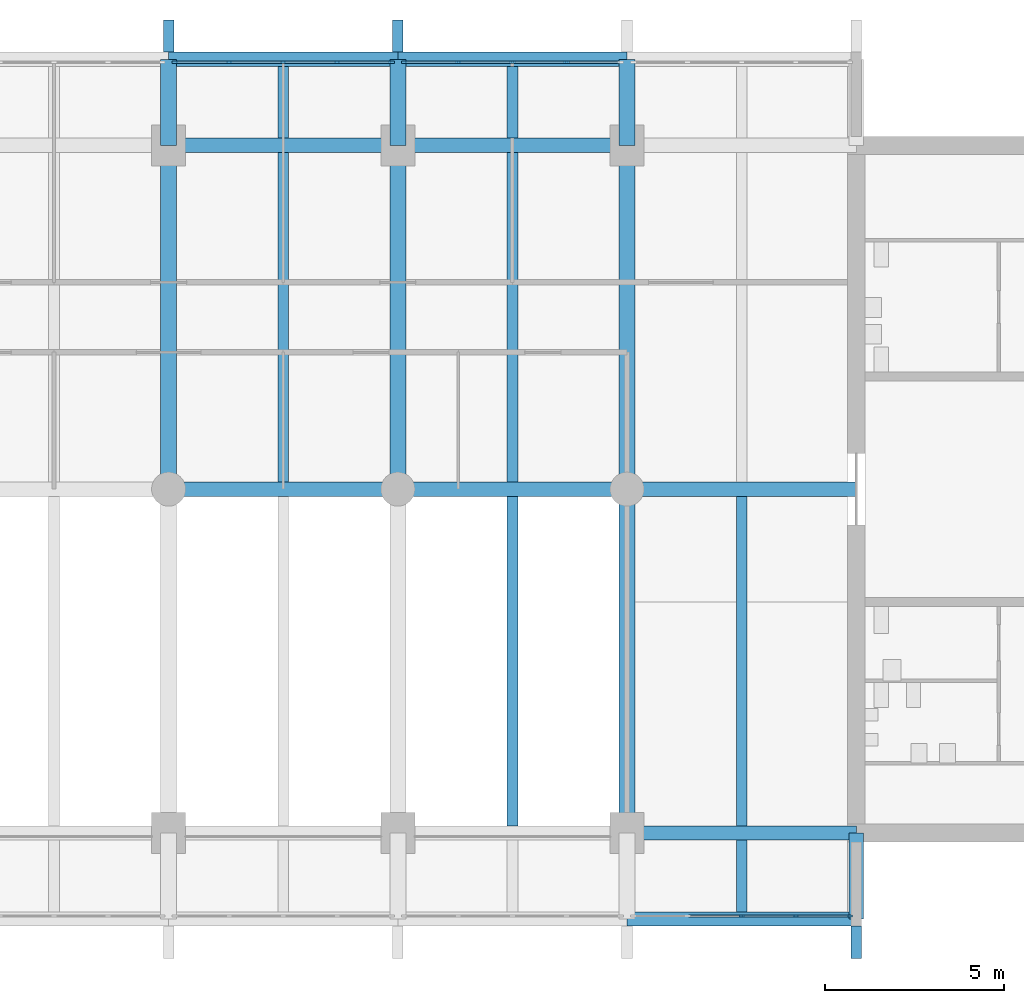
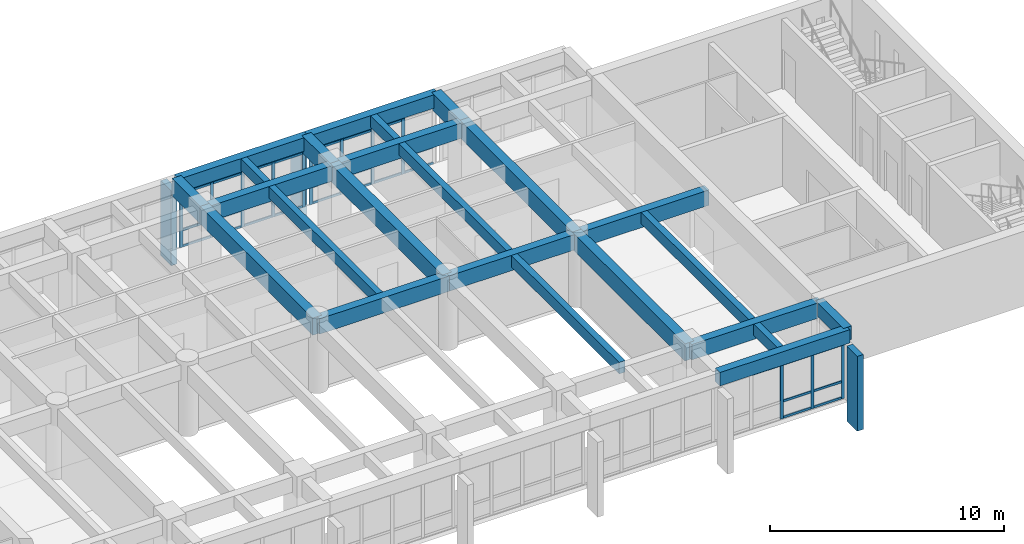
# One storey, part 5 of 15: 45 members, 24 beams, 3 elements without a shape of their own.
"""IFC4 building model written with IfcOpenShell, lengths in metres."""

from ifc_helpers import new_model, si_unit, direction, frame, origin, origin_2d, place, context, subcontext, project, spatial, rectangle, extrude, material, layer, layer_set, material_profile, profile_set, type_object, element, aggregate, save


model = new_model("IFC4")

# Units and contexts
model_context = context("Model", 3, precision=1e-05, world=origin(), true_north=direction((0.0, 1.0)))
body_context = subcontext(model_context, "Body", "Model", "MODEL_VIEW")
ifc_project = project(units=[si_unit("LENGTHUNIT", "METRE"), si_unit("AREAUNIT", "SQUARE_METRE"), si_unit("VOLUMEUNIT", "CUBIC_METRE"), si_unit("PLANEANGLEUNIT", "RADIAN"), si_unit("MASSUNIT", "GRAM", prefix="KILO")], contexts=[model_context])

# Site, building, storey
site_placement = place(None, origin())
site = spatial("IfcSite", under=ifc_project, at=site_placement, CompositionType="ELEMENT")
building_placement = place(site_placement, origin())
building = spatial("IfcBuilding", under=site, at=building_placement, Name="Fogon Plaza Fire Station and Headquarters Tower", CompositionType="ELEMENT")
storey_placement = place(building_placement, frame((0.0, 0.0, 36.60009765625)))
storey = spatial("IfcBuildingStorey", under=building, at=storey_placement, Name="L09", CompositionType="ELEMENT", Elevation=36.60009765625)

# Beams
ifc_material_1 = material(Name="Concrete C40", Category="concrete")
ifc_material_profile_1 = material_profile(ifc_material_1, rectangle(XDim=0.39990234375, YDim=0.699951171875, at=origin_2d()), Name="RC 400x700")
ifc_profile_set_1 = profile_set([ifc_material_profile_1], Name="Concrete C40")
beam_type_1 = type_object("IfcBeamType", Name="BEAM RC 400x700", PredefinedType="BEAM", material=ifc_profile_set_1)
for number, where, z_axis, x_axis, name in (
    (1, (57.60009765625, 31.199951171875, 3.329833984375), (1.0, 0.0, 0.0), (0.0, 1.0, 0.0), "beam-L09-044"),
    (2, (44.800048828125, 55.199951171875, 3.329833984375), (1.0, 0.0, 0.0), (0.0, 1.0, 0.0), "beam-L09-048"),
):
    element("IfcBeam", number, at=place(storey_placement, frame(where, z_axis=z_axis, x_axis=x_axis)), inside=storey, type_object=beam_type_1, Name=name, PredefinedType="BEAM", context=body_context, shape_type="SweptSolid", body=[
        extrude(rectangle(XDim=0.39990234375, YDim=0.699951171875, at=origin_2d()), origin(), (0.0, 0.0, 1.0), 6.39990234375),
    ])
beam_1_placement = place(storey_placement, frame((51.199951171875, 55.199951171875, 3.329833984375), z_axis=(1.0, 0.0, 0.0), x_axis=(0.0, 1.0, 0.0)))
element("IfcBeam", 3, at=beam_1_placement, inside=storey, type_object=beam_type_1, Name="beam-L09-049", PredefinedType="BEAM", context=body_context, shape_type="SweptSolid", body=[
    extrude(rectangle(XDim=0.39990234375, YDim=0.699951171875, at=origin_2d()), origin(), (0.0, 0.0, 1.0), 6.400146484375),
])
ifc_material_2 = material(Name="Concrete C40", Category="concrete")
ifc_material_profile_2 = material_profile(ifc_material_2, rectangle(XDim=0.39990234375, YDim=0.699951171875, at=origin_2d()), Name="RC 400x700")
ifc_profile_set_2 = profile_set([ifc_material_profile_2], Name="Concrete C40")
beam_type_2 = type_object("IfcBeamType", Name="BEAM RC 400x700 SPAN 0.0 TO 3.0 M", PredefinedType="BEAM", material=ifc_profile_set_2)
beam_2_placement = place(storey_placement, frame((64.0, 31.199951171875, 3.329833984375), z_axis=(0.0, 1.0, 0.0), x_axis=(-1.0, 0.0, 0.0)))
element("IfcBeam", 4, at=beam_2_placement, inside=storey, type_object=beam_type_2, Name="beam-L09-053", PredefinedType="BEAM", context=body_context, shape_type="SweptSolid", body=[
    extrude(rectangle(XDim=0.39990234375, YDim=0.699951171875, at=origin_2d()), origin(), (0.0, 0.0, 1.0), 2.400146484375),
])
ifc_material_3 = material(Name="Concrete C40", Category="concrete")
ifc_material_profile_3 = material_profile(ifc_material_3, rectangle(XDim=0.39990234375, YDim=0.800048828125, at=origin_2d()), Name="RC 400x800")
ifc_profile_set_3 = profile_set([ifc_material_profile_3], Name="Concrete C40")
beam_type_3 = type_object("IfcBeamType", Name="BEAM RC 400x800", PredefinedType="BEAM", material=ifc_profile_set_3)
for number, where, z_axis, x_axis, name in (
    (5, (57.60009765625, 33.60009765625, 3.27978515625), (1.0, 0.0, 0.0), (0.0, 1.0, 0.0), "beam-L09-026"),
    (6, (44.800048828125, 43.199951171875, 3.27978515625), (1.0, 0.0, 0.0), (0.0, 1.0, 0.0), "beam-L09-030"),
):
    element("IfcBeam", number, at=place(storey_placement, frame(where, z_axis=z_axis, x_axis=x_axis)), inside=storey, type_object=beam_type_3, Name=name, PredefinedType="BEAM", context=body_context, shape_type="SweptSolid", body=[
        extrude(rectangle(XDim=0.39990234375, YDim=0.800048828125, at=origin_2d()), origin(), (0.0, 0.0, 1.0), 6.39990234375),
    ])
beam_3_placement = place(storey_placement, frame((51.199951171875, 43.199951171875, 3.27978515625), z_axis=(1.0, 0.0, 0.0), x_axis=(0.0, 1.0, 0.0)))
element("IfcBeam", 7, at=beam_3_placement, inside=storey, type_object=beam_type_3, Name="beam-L09-031", PredefinedType="BEAM", context=body_context, shape_type="SweptSolid", body=[
    extrude(rectangle(XDim=0.39990234375, YDim=0.800048828125, at=origin_2d()), origin(), (0.0, 0.0, 1.0), 6.400146484375),
])
for number, where, z_axis, x_axis, name in (
    (8, (57.60009765625, 43.199951171875, 3.27978515625), (1.0, 0.0, 0.0), (0.0, 1.0, 0.0), "beam-L09-032"),
    (9, (44.800048828125, 52.800048828125, 3.27978515625), (1.0, 0.0, 0.0), (0.0, 1.0, 0.0), "beam-L09-036"),
):
    element("IfcBeam", number, at=place(storey_placement, frame(where, z_axis=z_axis, x_axis=x_axis)), inside=storey, type_object=beam_type_3, Name=name, PredefinedType="BEAM", context=body_context, shape_type="SweptSolid", body=[
        extrude(rectangle(XDim=0.39990234375, YDim=0.800048828125, at=origin_2d()), origin(), (0.0, 0.0, 1.0), 6.39990234375),
    ])
beam_4_placement = place(storey_placement, frame((51.199951171875, 52.800048828125, 3.27978515625), z_axis=(1.0, 0.0, 0.0), x_axis=(0.0, 1.0, 0.0)))
element("IfcBeam", 10, at=beam_4_placement, inside=storey, type_object=beam_type_3, Name="beam-L09-037", PredefinedType="BEAM", context=body_context, shape_type="SweptSolid", body=[
    extrude(rectangle(XDim=0.39990234375, YDim=0.800048828125, at=origin_2d()), origin(), (0.0, 0.0, 1.0), 6.400146484375),
])
ifc_material_4 = material(Name="Concrete C40", Category="concrete")
ifc_material_profile_4 = material_profile(ifc_material_4, rectangle(XDim=0.449951171875, YDim=0.89990234375, at=origin_2d()), Name="RC 450x900")
ifc_profile_set_4 = profile_set([ifc_material_profile_4], Name="Concrete C40")
beam_type_4 = type_object("IfcBeamType", Name="BEAM RC 450x900", PredefinedType="BEAM", material=ifc_profile_set_4)
for number, where, z_axis, x_axis, name in (
    (11, (44.800048828125, 43.199951171875, 3.22998046875), (0.0, 1.0, 0.0), (-1.0, 0.0, 0.0), "beam-L09-011"),
    (12, (51.199951171875, 43.199951171875, 3.22998046875), (0.0, 1.0, 0.0), (-1.0, 0.0, 0.0), "beam-L09-015"),
):
    element("IfcBeam", number, at=place(storey_placement, frame(where, z_axis=z_axis, x_axis=x_axis)), inside=storey, type_object=beam_type_4, Name=name, PredefinedType="BEAM", context=body_context, shape_type="SweptSolid", body=[
        extrude(rectangle(XDim=0.449951171875, YDim=0.89990234375, at=origin_2d()), origin(), (0.0, 0.0, 1.0), 9.60009765625),
    ])
beam_5_placement = place(storey_placement, frame((57.60009765625, 33.60009765625, 3.22998046875), z_axis=(0.0, 1.0, 0.0), x_axis=(-1.0, 0.0, 0.0)))
element("IfcBeam", 13, at=beam_5_placement, inside=storey, type_object=beam_type_4, Name="beam-L09-018", PredefinedType="BEAM", context=body_context, shape_type="SweptSolid", body=[
    extrude(rectangle(XDim=0.449951171875, YDim=0.89990234375, at=origin_2d()), origin(), (0.0, 0.0, 1.0), 9.599853515625),
])
beam_6_placement = place(storey_placement, frame((57.60009765625, 43.199951171875, 3.22998046875), z_axis=(0.0, 1.0, 0.0), x_axis=(-1.0, 0.0, 0.0)))
element("IfcBeam", 14, at=beam_6_placement, inside=storey, type_object=beam_type_4, Name="beam-L09-019", PredefinedType="BEAM", context=body_context, shape_type="SweptSolid", body=[
    extrude(rectangle(XDim=0.449951171875, YDim=0.89990234375, at=origin_2d()), origin(), (0.0, 0.0, 1.0), 9.60009765625),
])
ifc_material_5 = material(Name="Concrete C40", Category="concrete")
ifc_material_profile_5 = material_profile(ifc_material_5, rectangle(XDim=0.449951171875, YDim=0.89990234375, at=origin_2d()), Name="RC 450x900")
ifc_profile_set_5 = profile_set([ifc_material_profile_5], Name="Concrete C40")
beam_type_5 = type_object("IfcBeamType", Name="BEAM RC 450x900 SPAN 0.0 TO 3.0 M", PredefinedType="BEAM", material=ifc_profile_set_5)
for number, where, z_axis, x_axis, name in (
    (15, (44.800048828125, 52.800048828125, 3.22998046875), (0.0, 1.0, 0.0), (-1.0, 0.0, 0.0), "beam-L09-012"),
    (16, (51.199951171875, 52.800048828125, 3.22998046875), (0.0, 1.0, 0.0), (-1.0, 0.0, 0.0), "beam-L09-016"),
    (17, (57.60009765625, 52.800048828125, 3.22998046875), (0.0, 1.0, 0.0), (-1.0, 0.0, 0.0), "beam-L09-020"),
):
    element("IfcBeam", number, at=place(storey_placement, frame(where, z_axis=z_axis, x_axis=x_axis)), inside=storey, type_object=beam_type_5, Name=name, PredefinedType="BEAM", context=body_context, shape_type="SweptSolid", body=[
        extrude(rectangle(XDim=0.449951171875, YDim=0.89990234375, at=origin_2d()), origin(), (0.0, 0.0, 1.0), 2.39990234375),
    ])

# Curtain wall, members
ifc_material_6 = material(Name="Aluminium and glass", Category="aluminium")
ifc_layer = layer(ifc_material_6, 0.14990234375)
ifc_layer_set = layer_set([ifc_layer], Name="Aluminium and glass")
curtain_wall_type = type_object("IfcCurtainWallType", Name="Unitised Curtain Wall Run 6100x2880", PredefinedType="NOTDEFINED", material=ifc_layer_set)
curtain_wall_1_placement = place(storey_placement, origin())
curtain_wall_1 = element("IfcCurtainWall", 18, at=curtain_wall_1_placement, inside=storey, type_object=curtain_wall_type, Name="CW-6100x2880 S6 L09", PredefinedType="NOTDEFINED")
ifc_material_7 = material(Name="Aluminium", Category="aluminium")
ifc_material_profile_6 = material_profile(ifc_material_7, rectangle(XDim=0.06005859375, YDim=0.159912109375, at=origin_2d()), Name="Curtain Wall Mullion 60x160")
ifc_profile_set_6 = profile_set([ifc_material_profile_6], Name="Aluminium")
member_type_1 = type_object("IfcMemberType", Name="Curtain Wall Mullion 60x160", PredefinedType="MULLION", material=ifc_profile_set_6)
member_1_placement = place(storey_placement, frame((60.800048828125, 31.280029296875, 0.0), z_axis=(0.0, 0.0, 1.0), x_axis=(0.0, 1.0, 0.0)))
member_1 = element("IfcMember", 19, at=member_1_placement, type_object=member_type_1, Name="CW-6100x2880 mullion 3", PredefinedType="MULLION", context=body_context, shape_type="SweptSolid", body=[
    extrude(rectangle(XDim=0.06005859375, YDim=0.159912109375, at=origin_2d()), origin(), (0.0, 0.0, 1.0), 2.8798828125),
])
member_2_placement = place(storey_placement, frame((62.31005859375, 31.280029296875, 0.0), z_axis=(0.0, 0.0, 1.0), x_axis=(0.0, 1.0, 0.0)))
member_2 = element("IfcMember", 20, at=member_2_placement, type_object=member_type_1, Name="CW-6100x2880 mullion 4", PredefinedType="MULLION", context=body_context, shape_type="SweptSolid", body=[
    extrude(rectangle(XDim=0.06005859375, YDim=0.159912109375, at=origin_2d()), origin(), (0.0, 0.0, 1.0), 2.8798828125),
])
member_3_placement = place(storey_placement, frame((63.820068359375, 31.280029296875, 0.0), z_axis=(0.0, 0.0, 1.0), x_axis=(0.0, 1.0, 0.0)))
member_3 = element("IfcMember", 21, at=member_3_placement, type_object=member_type_1, Name="CW-6100x2880 mullion 5", PredefinedType="MULLION", context=body_context, shape_type="SweptSolid", body=[
    extrude(rectangle(XDim=0.06005859375, YDim=0.159912109375, at=origin_2d()), origin(), (0.0, 0.0, 1.0), 2.8798828125),
])

curtain_wall_2_placement = place(storey_placement, origin())
curtain_wall_2 = element("IfcCurtainWall", 22, at=curtain_wall_2_placement, inside=storey, type_object=curtain_wall_type, Name="CW-6100x2880 N4 L09", PredefinedType="NOTDEFINED")
member_4_placement = place(storey_placement, frame((44.97998046875, 55.1201171875, 0.0), z_axis=(0.0, 0.0, 1.0), x_axis=(0.0, 1.0, 0.0)))
member_4 = element("IfcMember", 23, at=member_4_placement, type_object=member_type_1, Name="CW-6100x2880 mullion 1", PredefinedType="MULLION", context=body_context, shape_type="SweptSolid", body=[
    extrude(rectangle(XDim=0.06005859375, YDim=0.159912109375, at=origin_2d()), origin(), (0.0, 0.0, 1.0), 2.8798828125),
])
member_5_placement = place(storey_placement, frame((46.489990234375, 55.1201171875, 0.0), z_axis=(0.0, 0.0, 1.0), x_axis=(0.0, 1.0, 0.0)))
member_5 = element("IfcMember", 24, at=member_5_placement, type_object=member_type_1, Name="CW-6100x2880 mullion 2", PredefinedType="MULLION", context=body_context, shape_type="SweptSolid", body=[
    extrude(rectangle(XDim=0.06005859375, YDim=0.159912109375, at=origin_2d()), origin(), (0.0, 0.0, 1.0), 2.8798828125),
])
member_6_placement = place(storey_placement, frame((48.0, 55.1201171875, 0.0), z_axis=(0.0, 0.0, 1.0), x_axis=(0.0, 1.0, 0.0)))
member_6 = element("IfcMember", 25, at=member_6_placement, type_object=member_type_1, Name="CW-6100x2880 mullion 3", PredefinedType="MULLION", context=body_context, shape_type="SweptSolid", body=[
    extrude(rectangle(XDim=0.06005859375, YDim=0.159912109375, at=origin_2d()), origin(), (0.0, 0.0, 1.0), 2.8798828125),
])
member_7_placement = place(storey_placement, frame((49.510009765625, 55.1201171875, 0.0), z_axis=(0.0, 0.0, 1.0), x_axis=(0.0, 1.0, 0.0)))
member_7 = element("IfcMember", 26, at=member_7_placement, type_object=member_type_1, Name="CW-6100x2880 mullion 4", PredefinedType="MULLION", context=body_context, shape_type="SweptSolid", body=[
    extrude(rectangle(XDim=0.06005859375, YDim=0.159912109375, at=origin_2d()), origin(), (0.0, 0.0, 1.0), 2.8798828125),
])
member_8_placement = place(storey_placement, frame((51.02001953125, 55.1201171875, 0.0), z_axis=(0.0, 0.0, 1.0), x_axis=(0.0, 1.0, 0.0)))
member_8 = element("IfcMember", 27, at=member_8_placement, type_object=member_type_1, Name="CW-6100x2880 mullion 5", PredefinedType="MULLION", context=body_context, shape_type="SweptSolid", body=[
    extrude(rectangle(XDim=0.06005859375, YDim=0.159912109375, at=origin_2d()), origin(), (0.0, 0.0, 1.0), 2.8798828125),
])

curtain_wall_3_placement = place(storey_placement, origin())
curtain_wall_3 = element("IfcCurtainWall", 28, at=curtain_wall_3_placement, inside=storey, type_object=curtain_wall_type, Name="CW-6100x2880 N5 L09", PredefinedType="NOTDEFINED")
member_9_placement = place(storey_placement, frame((51.3798828125, 55.1201171875, 0.0), z_axis=(0.0, 0.0, 1.0), x_axis=(0.0, 1.0, 0.0)))
member_9 = element("IfcMember", 29, at=member_9_placement, type_object=member_type_1, Name="CW-6100x2880 mullion 1", PredefinedType="MULLION", context=body_context, shape_type="SweptSolid", body=[
    extrude(rectangle(XDim=0.06005859375, YDim=0.159912109375, at=origin_2d()), origin(), (0.0, 0.0, 1.0), 2.8798828125),
])
member_10_placement = place(storey_placement, frame((52.889892578125, 55.1201171875, 0.0), z_axis=(0.0, 0.0, 1.0), x_axis=(0.0, 1.0, 0.0)))
member_10 = element("IfcMember", 30, at=member_10_placement, type_object=member_type_1, Name="CW-6100x2880 mullion 2", PredefinedType="MULLION", context=body_context, shape_type="SweptSolid", body=[
    extrude(rectangle(XDim=0.06005859375, YDim=0.159912109375, at=origin_2d()), origin(), (0.0, 0.0, 1.0), 2.8798828125),
])
member_11_placement = place(storey_placement, frame((54.39990234375, 55.1201171875, 0.0), z_axis=(0.0, 0.0, 1.0), x_axis=(0.0, 1.0, 0.0)))
member_11 = element("IfcMember", 31, at=member_11_placement, type_object=member_type_1, Name="CW-6100x2880 mullion 3", PredefinedType="MULLION", context=body_context, shape_type="SweptSolid", body=[
    extrude(rectangle(XDim=0.06005859375, YDim=0.159912109375, at=origin_2d()), origin(), (0.0, 0.0, 1.0), 2.8798828125),
])
member_12_placement = place(storey_placement, frame((55.909912109375, 55.1201171875, 0.0), z_axis=(0.0, 0.0, 1.0), x_axis=(0.0, 1.0, 0.0)))
member_12 = element("IfcMember", 32, at=member_12_placement, type_object=member_type_1, Name="CW-6100x2880 mullion 4", PredefinedType="MULLION", context=body_context, shape_type="SweptSolid", body=[
    extrude(rectangle(XDim=0.06005859375, YDim=0.159912109375, at=origin_2d()), origin(), (0.0, 0.0, 1.0), 2.8798828125),
])

# Member
ifc_material_8 = material(Name="Aluminium", Category="aluminium")
ifc_material_profile_7 = material_profile(ifc_material_8, rectangle(XDim=0.06005859375, YDim=0.1201171875, at=origin_2d()), Name="Curtain Wall Transom 60x120")
ifc_profile_set_7 = profile_set([ifc_material_profile_7], Name="Aluminium")
member_type_2 = type_object("IfcMemberType", Name="Curtain Wall Transom 60x120", PredefinedType="USERDEFINED", material=ifc_profile_set_7)
member_13_placement = place(storey_placement, frame((59.320068359375, 31.280029296875, 2.81982421875), z_axis=(1.0, 0.0, 0.0), x_axis=(0.0, 1.0, 0.0)))
member_13 = element("IfcMember", 33, at=member_13_placement, type_object=member_type_2, Name="CW-6100x2880 transom 2.3", ObjectType="TRANSOM", PredefinedType="USERDEFINED", context=body_context, shape_type="SweptSolid", body=[
    extrude(rectangle(XDim=0.06005859375, YDim=0.1201171875, at=origin_2d()), origin(), (0.0, 0.0, 1.0), 1.449951171875),
])

member_14_placement = place(storey_placement, frame((60.830078125, 31.280029296875, 0.059814453125), z_axis=(1.0, 0.0, 0.0), x_axis=(0.0, 1.0, 0.0)))
member_14 = element("IfcMember", 34, at=member_14_placement, type_object=member_type_2, Name="CW-6100x2880 transom 3.1", ObjectType="TRANSOM", PredefinedType="USERDEFINED", context=body_context, shape_type="SweptSolid", body=[
    extrude(rectangle(XDim=0.06005859375, YDim=0.1201171875, at=origin_2d()), origin(), (0.0, 0.0, 1.0), 1.449951171875),
])

member_15_placement = place(storey_placement, frame((60.830078125, 31.280029296875, 0.89990234375), z_axis=(1.0, 0.0, 0.0), x_axis=(0.0, 1.0, 0.0)))
member_15 = element("IfcMember", 35, at=member_15_placement, type_object=member_type_2, Name="CW-6100x2880 transom 3.2", ObjectType="TRANSOM", PredefinedType="USERDEFINED", context=body_context, shape_type="SweptSolid", body=[
    extrude(rectangle(XDim=0.06005859375, YDim=0.1201171875, at=origin_2d()), origin(), (0.0, 0.0, 1.0), 1.449951171875),
])

member_16_placement = place(storey_placement, frame((60.830078125, 31.280029296875, 2.81982421875), z_axis=(1.0, 0.0, 0.0), x_axis=(0.0, 1.0, 0.0)))
member_16 = element("IfcMember", 36, at=member_16_placement, type_object=member_type_2, Name="CW-6100x2880 transom 3.3", ObjectType="TRANSOM", PredefinedType="USERDEFINED", context=body_context, shape_type="SweptSolid", body=[
    extrude(rectangle(XDim=0.06005859375, YDim=0.1201171875, at=origin_2d()), origin(), (0.0, 0.0, 1.0), 1.449951171875),
])

member_17_placement = place(storey_placement, frame((62.340087890625, 31.280029296875, 0.059814453125), z_axis=(1.0, 0.0, 0.0), x_axis=(0.0, 1.0, 0.0)))
member_17 = element("IfcMember", 37, at=member_17_placement, type_object=member_type_2, Name="CW-6100x2880 transom 4.1", ObjectType="TRANSOM", PredefinedType="USERDEFINED", context=body_context, shape_type="SweptSolid", body=[
    extrude(rectangle(XDim=0.06005859375, YDim=0.1201171875, at=origin_2d()), origin(), (0.0, 0.0, 1.0), 1.449951171875),
])

member_18_placement = place(storey_placement, frame((62.340087890625, 31.280029296875, 0.89990234375), z_axis=(1.0, 0.0, 0.0), x_axis=(0.0, 1.0, 0.0)))
member_18 = element("IfcMember", 38, at=member_18_placement, type_object=member_type_2, Name="CW-6100x2880 transom 4.2", ObjectType="TRANSOM", PredefinedType="USERDEFINED", context=body_context, shape_type="SweptSolid", body=[
    extrude(rectangle(XDim=0.06005859375, YDim=0.1201171875, at=origin_2d()), origin(), (0.0, 0.0, 1.0), 1.449951171875),
])

member_19_placement = place(storey_placement, frame((62.340087890625, 31.280029296875, 2.81982421875), z_axis=(1.0, 0.0, 0.0), x_axis=(0.0, 1.0, 0.0)))
member_19 = element("IfcMember", 39, at=member_19_placement, type_object=member_type_2, Name="CW-6100x2880 transom 4.3", ObjectType="TRANSOM", PredefinedType="USERDEFINED", context=body_context, shape_type="SweptSolid", body=[
    extrude(rectangle(XDim=0.06005859375, YDim=0.1201171875, at=origin_2d()), origin(), (0.0, 0.0, 1.0), 1.449951171875),
])

aggregate(curtain_wall_1, [member_1, member_2, member_3, member_13, member_14, member_15, member_16, member_17, member_18, member_19])

member_20_placement = place(storey_placement, frame((45.010009765625, 55.1201171875, 0.059814453125), z_axis=(1.0, 0.0, 0.0), x_axis=(0.0, 1.0, 0.0)))
member_20 = element("IfcMember", 40, at=member_20_placement, type_object=member_type_2, Name="CW-6100x2880 transom 1.1", ObjectType="TRANSOM", PredefinedType="USERDEFINED", context=body_context, shape_type="SweptSolid", body=[
    extrude(rectangle(XDim=0.06005859375, YDim=0.1201171875, at=origin_2d()), origin(), (0.0, 0.0, 1.0), 1.449951171875),
])

member_21_placement = place(storey_placement, frame((45.010009765625, 55.1201171875, 0.89990234375), z_axis=(1.0, 0.0, 0.0), x_axis=(0.0, 1.0, 0.0)))
member_21 = element("IfcMember", 41, at=member_21_placement, type_object=member_type_2, Name="CW-6100x2880 transom 1.2", ObjectType="TRANSOM", PredefinedType="USERDEFINED", context=body_context, shape_type="SweptSolid", body=[
    extrude(rectangle(XDim=0.06005859375, YDim=0.1201171875, at=origin_2d()), origin(), (0.0, 0.0, 1.0), 1.449951171875),
])

member_22_placement = place(storey_placement, frame((45.010009765625, 55.1201171875, 2.81982421875), z_axis=(1.0, 0.0, 0.0), x_axis=(0.0, 1.0, 0.0)))
member_22 = element("IfcMember", 42, at=member_22_placement, type_object=member_type_2, Name="CW-6100x2880 transom 1.3", ObjectType="TRANSOM", PredefinedType="USERDEFINED", context=body_context, shape_type="SweptSolid", body=[
    extrude(rectangle(XDim=0.06005859375, YDim=0.1201171875, at=origin_2d()), origin(), (0.0, 0.0, 1.0), 1.449951171875),
])

member_23_placement = place(storey_placement, frame((46.52001953125, 55.1201171875, 0.059814453125), z_axis=(1.0, 0.0, 0.0), x_axis=(0.0, 1.0, 0.0)))
member_23 = element("IfcMember", 43, at=member_23_placement, type_object=member_type_2, Name="CW-6100x2880 transom 2.1", ObjectType="TRANSOM", PredefinedType="USERDEFINED", context=body_context, shape_type="SweptSolid", body=[
    extrude(rectangle(XDim=0.06005859375, YDim=0.1201171875, at=origin_2d()), origin(), (0.0, 0.0, 1.0), 1.449951171875),
])

member_24_placement = place(storey_placement, frame((46.52001953125, 55.1201171875, 0.89990234375), z_axis=(1.0, 0.0, 0.0), x_axis=(0.0, 1.0, 0.0)))
member_24 = element("IfcMember", 44, at=member_24_placement, type_object=member_type_2, Name="CW-6100x2880 transom 2.2", ObjectType="TRANSOM", PredefinedType="USERDEFINED", context=body_context, shape_type="SweptSolid", body=[
    extrude(rectangle(XDim=0.06005859375, YDim=0.1201171875, at=origin_2d()), origin(), (0.0, 0.0, 1.0), 1.449951171875),
])

member_25_placement = place(storey_placement, frame((46.52001953125, 55.1201171875, 2.81982421875), z_axis=(1.0, 0.0, 0.0), x_axis=(0.0, 1.0, 0.0)))
member_25 = element("IfcMember", 45, at=member_25_placement, type_object=member_type_2, Name="CW-6100x2880 transom 2.3", ObjectType="TRANSOM", PredefinedType="USERDEFINED", context=body_context, shape_type="SweptSolid", body=[
    extrude(rectangle(XDim=0.06005859375, YDim=0.1201171875, at=origin_2d()), origin(), (0.0, 0.0, 1.0), 1.449951171875),
])

member_26_placement = place(storey_placement, frame((48.030029296875, 55.1201171875, 0.059814453125), z_axis=(1.0, 0.0, 0.0), x_axis=(0.0, 1.0, 0.0)))
member_26 = element("IfcMember", 46, at=member_26_placement, type_object=member_type_2, Name="CW-6100x2880 transom 3.1", ObjectType="TRANSOM", PredefinedType="USERDEFINED", context=body_context, shape_type="SweptSolid", body=[
    extrude(rectangle(XDim=0.06005859375, YDim=0.1201171875, at=origin_2d()), origin(), (0.0, 0.0, 1.0), 1.449951171875),
])

member_27_placement = place(storey_placement, frame((48.030029296875, 55.1201171875, 0.89990234375), z_axis=(1.0, 0.0, 0.0), x_axis=(0.0, 1.0, 0.0)))
member_27 = element("IfcMember", 47, at=member_27_placement, type_object=member_type_2, Name="CW-6100x2880 transom 3.2", ObjectType="TRANSOM", PredefinedType="USERDEFINED", context=body_context, shape_type="SweptSolid", body=[
    extrude(rectangle(XDim=0.06005859375, YDim=0.1201171875, at=origin_2d()), origin(), (0.0, 0.0, 1.0), 1.449951171875),
])

member_28_placement = place(storey_placement, frame((48.030029296875, 55.1201171875, 2.81982421875), z_axis=(1.0, 0.0, 0.0), x_axis=(0.0, 1.0, 0.0)))
member_28 = element("IfcMember", 48, at=member_28_placement, type_object=member_type_2, Name="CW-6100x2880 transom 3.3", ObjectType="TRANSOM", PredefinedType="USERDEFINED", context=body_context, shape_type="SweptSolid", body=[
    extrude(rectangle(XDim=0.06005859375, YDim=0.1201171875, at=origin_2d()), origin(), (0.0, 0.0, 1.0), 1.449951171875),
])

member_29_placement = place(storey_placement, frame((49.5400390625, 55.1201171875, 0.059814453125), z_axis=(1.0, 0.0, 0.0), x_axis=(0.0, 1.0, 0.0)))
member_29 = element("IfcMember", 49, at=member_29_placement, type_object=member_type_2, Name="CW-6100x2880 transom 4.1", ObjectType="TRANSOM", PredefinedType="USERDEFINED", context=body_context, shape_type="SweptSolid", body=[
    extrude(rectangle(XDim=0.06005859375, YDim=0.1201171875, at=origin_2d()), origin(), (0.0, 0.0, 1.0), 1.449951171875),
])

member_30_placement = place(storey_placement, frame((49.5400390625, 55.1201171875, 0.89990234375), z_axis=(1.0, 0.0, 0.0), x_axis=(0.0, 1.0, 0.0)))
member_30 = element("IfcMember", 50, at=member_30_placement, type_object=member_type_2, Name="CW-6100x2880 transom 4.2", ObjectType="TRANSOM", PredefinedType="USERDEFINED", context=body_context, shape_type="SweptSolid", body=[
    extrude(rectangle(XDim=0.06005859375, YDim=0.1201171875, at=origin_2d()), origin(), (0.0, 0.0, 1.0), 1.449951171875),
])

member_31_placement = place(storey_placement, frame((49.5400390625, 55.1201171875, 2.81982421875), z_axis=(1.0, 0.0, 0.0), x_axis=(0.0, 1.0, 0.0)))
member_31 = element("IfcMember", 51, at=member_31_placement, type_object=member_type_2, Name="CW-6100x2880 transom 4.3", ObjectType="TRANSOM", PredefinedType="USERDEFINED", context=body_context, shape_type="SweptSolid", body=[
    extrude(rectangle(XDim=0.06005859375, YDim=0.1201171875, at=origin_2d()), origin(), (0.0, 0.0, 1.0), 1.449951171875),
])

aggregate(curtain_wall_2, [member_4, member_5, member_6, member_7, member_8, member_20, member_21, member_22, member_23, member_24, member_25, member_26, member_27, member_28, member_29, member_30, member_31])

member_32_placement = place(storey_placement, frame((51.409912109375, 55.1201171875, 0.059814453125), z_axis=(1.0, 0.0, 0.0), x_axis=(0.0, 1.0, 0.0)))
member_32 = element("IfcMember", 52, at=member_32_placement, type_object=member_type_2, Name="CW-6100x2880 transom 1.1", ObjectType="TRANSOM", PredefinedType="USERDEFINED", context=body_context, shape_type="SweptSolid", body=[
    extrude(rectangle(XDim=0.06005859375, YDim=0.1201171875, at=origin_2d()), origin(), (0.0, 0.0, 1.0), 1.4501953125),
])

member_33_placement = place(storey_placement, frame((51.409912109375, 55.1201171875, 0.89990234375), z_axis=(1.0, 0.0, 0.0), x_axis=(0.0, 1.0, 0.0)))
member_33 = element("IfcMember", 53, at=member_33_placement, type_object=member_type_2, Name="CW-6100x2880 transom 1.2", ObjectType="TRANSOM", PredefinedType="USERDEFINED", context=body_context, shape_type="SweptSolid", body=[
    extrude(rectangle(XDim=0.06005859375, YDim=0.1201171875, at=origin_2d()), origin(), (0.0, 0.0, 1.0), 1.4501953125),
])

member_34_placement = place(storey_placement, frame((51.409912109375, 55.1201171875, 2.81982421875), z_axis=(1.0, 0.0, 0.0), x_axis=(0.0, 1.0, 0.0)))
member_34 = element("IfcMember", 54, at=member_34_placement, type_object=member_type_2, Name="CW-6100x2880 transom 1.3", ObjectType="TRANSOM", PredefinedType="USERDEFINED", context=body_context, shape_type="SweptSolid", body=[
    extrude(rectangle(XDim=0.06005859375, YDim=0.1201171875, at=origin_2d()), origin(), (0.0, 0.0, 1.0), 1.4501953125),
])

member_35_placement = place(storey_placement, frame((52.919921875, 55.1201171875, 0.059814453125), z_axis=(1.0, 0.0, 0.0), x_axis=(0.0, 1.0, 0.0)))
member_35 = element("IfcMember", 55, at=member_35_placement, type_object=member_type_2, Name="CW-6100x2880 transom 2.1", ObjectType="TRANSOM", PredefinedType="USERDEFINED", context=body_context, shape_type="SweptSolid", body=[
    extrude(rectangle(XDim=0.06005859375, YDim=0.1201171875, at=origin_2d()), origin(), (0.0, 0.0, 1.0), 1.4501953125),
])

member_36_placement = place(storey_placement, frame((52.919921875, 55.1201171875, 0.89990234375), z_axis=(1.0, 0.0, 0.0), x_axis=(0.0, 1.0, 0.0)))
member_36 = element("IfcMember", 56, at=member_36_placement, type_object=member_type_2, Name="CW-6100x2880 transom 2.2", ObjectType="TRANSOM", PredefinedType="USERDEFINED", context=body_context, shape_type="SweptSolid", body=[
    extrude(rectangle(XDim=0.06005859375, YDim=0.1201171875, at=origin_2d()), origin(), (0.0, 0.0, 1.0), 1.4501953125),
])

member_37_placement = place(storey_placement, frame((52.919921875, 55.1201171875, 2.81982421875), z_axis=(1.0, 0.0, 0.0), x_axis=(0.0, 1.0, 0.0)))
member_37 = element("IfcMember", 57, at=member_37_placement, type_object=member_type_2, Name="CW-6100x2880 transom 2.3", ObjectType="TRANSOM", PredefinedType="USERDEFINED", context=body_context, shape_type="SweptSolid", body=[
    extrude(rectangle(XDim=0.06005859375, YDim=0.1201171875, at=origin_2d()), origin(), (0.0, 0.0, 1.0), 1.4501953125),
])

member_38_placement = place(storey_placement, frame((54.429931640625, 55.1201171875, 0.059814453125), z_axis=(1.0, 0.0, 0.0), x_axis=(0.0, 1.0, 0.0)))
member_38 = element("IfcMember", 58, at=member_38_placement, type_object=member_type_2, Name="CW-6100x2880 transom 3.1", ObjectType="TRANSOM", PredefinedType="USERDEFINED", context=body_context, shape_type="SweptSolid", body=[
    extrude(rectangle(XDim=0.06005859375, YDim=0.1201171875, at=origin_2d()), origin(), (0.0, 0.0, 1.0), 1.449951171875),
])

member_39_placement = place(storey_placement, frame((54.429931640625, 55.1201171875, 0.89990234375), z_axis=(1.0, 0.0, 0.0), x_axis=(0.0, 1.0, 0.0)))
member_39 = element("IfcMember", 59, at=member_39_placement, type_object=member_type_2, Name="CW-6100x2880 transom 3.2", ObjectType="TRANSOM", PredefinedType="USERDEFINED", context=body_context, shape_type="SweptSolid", body=[
    extrude(rectangle(XDim=0.06005859375, YDim=0.1201171875, at=origin_2d()), origin(), (0.0, 0.0, 1.0), 1.449951171875),
])

member_40_placement = place(storey_placement, frame((54.429931640625, 55.1201171875, 2.81982421875), z_axis=(1.0, 0.0, 0.0), x_axis=(0.0, 1.0, 0.0)))
member_40 = element("IfcMember", 60, at=member_40_placement, type_object=member_type_2, Name="CW-6100x2880 transom 3.3", ObjectType="TRANSOM", PredefinedType="USERDEFINED", context=body_context, shape_type="SweptSolid", body=[
    extrude(rectangle(XDim=0.06005859375, YDim=0.1201171875, at=origin_2d()), origin(), (0.0, 0.0, 1.0), 1.449951171875),
])

member_41_placement = place(storey_placement, frame((55.93994140625, 55.1201171875, 0.059814453125), z_axis=(1.0, 0.0, 0.0), x_axis=(0.0, 1.0, 0.0)))
member_41 = element("IfcMember", 61, at=member_41_placement, type_object=member_type_2, Name="CW-6100x2880 transom 4.1", ObjectType="TRANSOM", PredefinedType="USERDEFINED", context=body_context, shape_type="SweptSolid", body=[
    extrude(rectangle(XDim=0.06005859375, YDim=0.1201171875, at=origin_2d()), origin(), (0.0, 0.0, 1.0), 1.449951171875),
])

member_42_placement = place(storey_placement, frame((55.93994140625, 55.1201171875, 0.89990234375), z_axis=(1.0, 0.0, 0.0), x_axis=(0.0, 1.0, 0.0)))
member_42 = element("IfcMember", 62, at=member_42_placement, type_object=member_type_2, Name="CW-6100x2880 transom 4.2", ObjectType="TRANSOM", PredefinedType="USERDEFINED", context=body_context, shape_type="SweptSolid", body=[
    extrude(rectangle(XDim=0.06005859375, YDim=0.1201171875, at=origin_2d()), origin(), (0.0, 0.0, 1.0), 1.449951171875),
])

aggregate(curtain_wall_3, [member_9, member_10, member_11, member_12, member_32, member_33, member_34, member_35, member_36, member_37, member_38, member_39, member_40, member_41, member_42])

# Beams
ifc_material_9 = material(Name="Concrete C40", Category="concrete")
ifc_material_profile_8 = material_profile(ifc_material_9, rectangle(XDim=0.300048828125, YDim=0.60009765625, at=origin_2d()), Name="RC 300x600")
ifc_profile_set_8 = profile_set([ifc_material_profile_8], Name="Concrete C40")
beam_type_6 = type_object("IfcBeamType", Name="JOIST RC 300x600", PredefinedType="JOIST", material=ifc_profile_set_8)
beam_7_placement = place(storey_placement, frame((48.0, 43.39990234375, 3.3798828125), z_axis=(0.0, 1.0, 0.0), x_axis=(-1.0, 0.0, 0.0)))
element("IfcBeam", 63, at=beam_7_placement, inside=storey, type_object=beam_type_6, Name="beam-L09-069", PredefinedType="JOIST", context=body_context, shape_type="SweptSolid", body=[
    extrude(rectangle(XDim=0.300048828125, YDim=0.60009765625, at=origin_2d()), origin(), (0.0, 0.0, 1.0), 9.2001953125),
])
beam_8_placement = place(storey_placement, frame((54.39990234375, 33.800048828125, 3.3798828125), z_axis=(0.0, 1.0, 0.0), x_axis=(-1.0, 0.0, 0.0)))
element("IfcBeam", 64, at=beam_8_placement, inside=storey, type_object=beam_type_6, Name="beam-L09-072", PredefinedType="JOIST", context=body_context, shape_type="SweptSolid", body=[
    extrude(rectangle(XDim=0.300048828125, YDim=0.60009765625, at=origin_2d()), origin(), (0.0, 0.0, 1.0), 9.199951171875),
])
beam_9_placement = place(storey_placement, frame((54.39990234375, 43.39990234375, 3.3798828125), z_axis=(0.0, 1.0, 0.0), x_axis=(-1.0, 0.0, 0.0)))
element("IfcBeam", 65, at=beam_9_placement, inside=storey, type_object=beam_type_6, Name="beam-L09-073", PredefinedType="JOIST", context=body_context, shape_type="SweptSolid", body=[
    extrude(rectangle(XDim=0.300048828125, YDim=0.60009765625, at=origin_2d()), origin(), (0.0, 0.0, 1.0), 9.2001953125),
])
beam_10_placement = place(storey_placement, frame((60.800048828125, 33.800048828125, 3.3798828125), z_axis=(0.0, 1.0, 0.0), x_axis=(-1.0, 0.0, 0.0)))
element("IfcBeam", 66, at=beam_10_placement, inside=storey, type_object=beam_type_6, Name="beam-L09-076", PredefinedType="JOIST", context=body_context, shape_type="SweptSolid", body=[
    extrude(rectangle(XDim=0.300048828125, YDim=0.60009765625, at=origin_2d()), origin(), (0.0, 0.0, 1.0), 9.199951171875),
])
ifc_material_10 = material(Name="Concrete C40", Category="concrete")
ifc_material_profile_9 = material_profile(ifc_material_10, rectangle(XDim=0.300048828125, YDim=0.60009765625, at=origin_2d()), Name="RC 300x600")
ifc_profile_set_9 = profile_set([ifc_material_profile_9], Name="Concrete C40")
beam_type_7 = type_object("IfcBeamType", Name="JOIST RC 300x600 SPAN 0.0 TO 3.0 M", PredefinedType="JOIST", material=ifc_profile_set_9)
for number, where, z_axis, x_axis, name in (
    (67, (48.0, 53.0, 3.3798828125), (0.0, 1.0, 0.0), (-1.0, 0.0, 0.0), "beam-L09-070"),
    (68, (54.39990234375, 53.0, 3.3798828125), (0.0, 1.0, 0.0), (-1.0, 0.0, 0.0), "beam-L09-074"),
    (69, (60.800048828125, 31.39990234375, 3.3798828125), (0.0, 1.0, 0.0), (-1.0, 0.0, 0.0), "beam-L09-075"),
):
    element("IfcBeam", number, at=place(storey_placement, frame(where, z_axis=z_axis, x_axis=x_axis)), inside=storey, type_object=beam_type_7, Name=name, PredefinedType="JOIST", context=body_context, shape_type="SweptSolid", body=[
        extrude(rectangle(XDim=0.300048828125, YDim=0.60009765625, at=origin_2d()), origin(), (0.0, 0.0, 1.0), 2.0),
    ])

# Members
ifc_material_11 = material(Name="Concrete C40 precast", Category="concrete")
ifc_material_profile_10 = material_profile(ifc_material_11, rectangle(XDim=0.300048828125, YDim=0.89990234375, at=origin_2d()), Name="Precast Concrete Post 300x900")
ifc_profile_set_10 = profile_set([ifc_material_profile_10], Name="Concrete C40 precast")
member_type_3 = type_object("IfcMemberType", Name="Precast Concrete Post 300x900", PredefinedType="POST", material=ifc_profile_set_10)
for number, where, z_axis, x_axis, name in (
    (70, (64.0, 30.550048828125, -1.02001953125), (0.0, 0.0, 1.0), (1.0, 0.0, 0.0), "Precast Post S L09"),
    (71, (44.800048828125, 55.85009765625, -1.02001953125), (0.0, 0.0, 1.0), (1.0, 0.0, 0.0), "Precast Post N L09"),
    (72, (51.199951171875, 55.85009765625, -1.02001953125), (0.0, 0.0, 1.0), (1.0, 0.0, 0.0), "Precast Post N L09"),
):
    element("IfcMember", number, at=place(storey_placement, frame(where, z_axis=z_axis, x_axis=x_axis)), inside=storey, type_object=member_type_3, Name=name, PredefinedType="POST", context=body_context, shape_type="SweptSolid", body=[
        extrude(rectangle(XDim=0.300048828125, YDim=0.89990234375, at=origin_2d()), origin(), (0.0, 0.0, 1.0), 3.89990234375),
    ])

save(model, "model.ifc")
